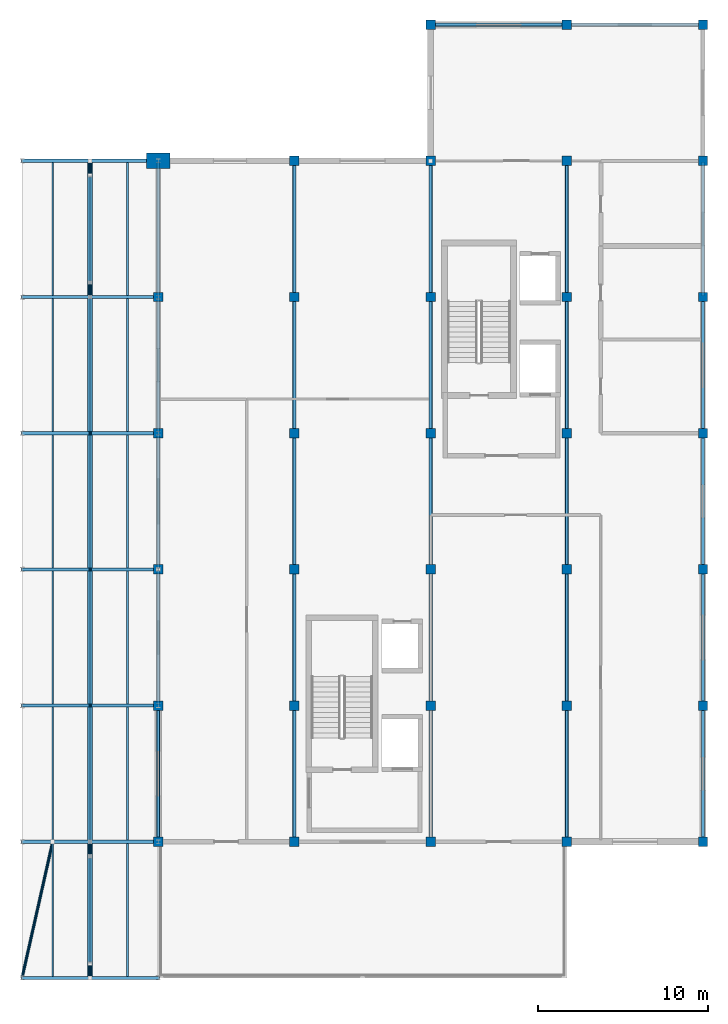
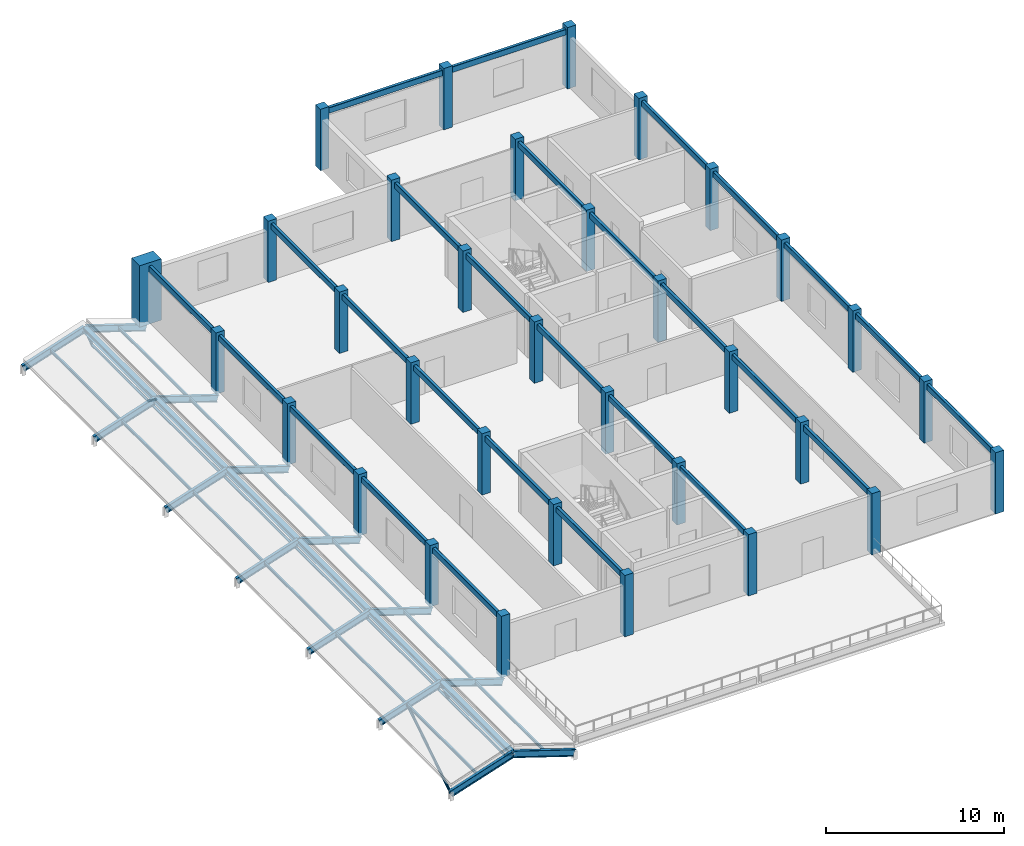
# One storey, part 1 of 9: 41 beams, 33 columns, 24 members.
"""IFC4 building model written with IfcOpenShell, lengths in metres."""

from ifc_helpers import new_model, si_unit, direction, frame, origin, origin_2d, place, context, subcontext, project, spatial, rectangle, hollow_rectangle, hollow_circle, i_section, extrude, material, material_profile, profile_set, type_object, element, save


model = new_model("IFC4")

# Units and contexts
model_context = context("Model", 3, precision=1e-05, world=origin(), true_north=direction((0.0, 1.0)))
body_context = subcontext(model_context, "Body", "Model", "MODEL_VIEW")
ifc_project = project(units=[si_unit("LENGTHUNIT", "METRE"), si_unit("AREAUNIT", "SQUARE_METRE"), si_unit("VOLUMEUNIT", "CUBIC_METRE"), si_unit("PLANEANGLEUNIT", "RADIAN"), si_unit("MASSUNIT", "GRAM", prefix="KILO")], contexts=[model_context])

# Site, building, storey
site_placement = place(None, origin())
site = spatial("IfcSite", under=ifc_project, at=site_placement, CompositionType="ELEMENT")
building_placement = place(site_placement, origin())
building = spatial("IfcBuilding", under=site, at=building_placement, Name="Kenh Van Central Station", CompositionType="ELEMENT")
storey_placement = place(building_placement, frame((0.0, 0.0, 23.39990234375)))
storey = spatial("IfcBuildingStorey", under=building, at=storey_placement, Name="L05", CompositionType="ELEMENT", Elevation=23.39990234375)

# Columns
ifc_material_1 = material(Name="Concrete C40/50", Category="concrete")
ifc_material_profile_1 = material_profile(ifc_material_1, rectangle(XDim=1.39990234375, YDim=0.89990234375, at=origin_2d()), Name="RC 1400x900")
ifc_profile_set_1 = profile_set([ifc_material_profile_1], Name="Concrete C40/50")
column_type_1 = type_object("IfcColumnType", Name="COL-PIER-1400x900", PredefinedType="COLUMN", material=ifc_profile_set_1)
column_placement = place(storey_placement, frame((144.0, 64.0, 0.0), z_axis=(0.0, 0.0, 1.0), x_axis=(1.0, 0.0, 0.0)))
element("IfcColumn", 1, at=column_placement, inside=storey, type_object=column_type_1, Name="L05 column VP-14-0", PredefinedType="COLUMN", context=body_context, shape_type="SweptSolid", body=[
    extrude(rectangle(XDim=1.39990234375, YDim=0.89990234375, at=origin_2d()), origin(), (0.0, 0.0, 1.0), 4.2001953125),
])
ifc_material_2 = material(Name="Concrete C35/45", Category="concrete")
ifc_material_profile_2 = material_profile(ifc_material_2, rectangle(XDim=0.550048828125, YDim=0.550048828125, at=origin_2d()), Name="RC 550x550")
ifc_profile_set_2 = profile_set([ifc_material_profile_2], Name="Concrete C35/45")
column_type_2 = type_object("IfcColumnType", Name="COL-RC-550x550", PredefinedType="COLUMN", material=ifc_profile_set_2)
for number, where, z_axis, x_axis, name in (
    (2, (144.0, 24.0, 0.0), (0.0, 0.0, 1.0), (1.0, 0.0, 0.0), "L05 column CE-1440-024"),
    (3, (144.0, 32.0, 0.0), (0.0, 0.0, 1.0), (1.0, 0.0, 0.0), "L05 column CE-1440-032"),
    (4, (144.0, 40.0, 0.0), (0.0, 0.0, 1.0), (1.0, 0.0, 0.0), "L05 column CE-1440-040"),
    (5, (144.0, 48.0, 0.0), (0.0, 0.0, 1.0), (1.0, 0.0, 0.0), "L05 column CE-1440-048"),
    (6, (144.0, 56.0, 0.0), (0.0, 0.0, 1.0), (1.0, 0.0, 0.0), "L05 column CE-1440-056"),
    (7, (152.0, 24.0, 0.0), (0.0, 0.0, 1.0), (1.0, 0.0, 0.0), "L05 column CE-1520-024"),
    (8, (152.0, 32.0, 0.0), (0.0, 0.0, 1.0), (1.0, 0.0, 0.0), "L05 column CE-1520-032"),
    (9, (152.0, 40.0, 0.0), (0.0, 0.0, 1.0), (1.0, 0.0, 0.0), "L05 column CE-1520-040"),
    (10, (152.0, 48.0, 0.0), (0.0, 0.0, 1.0), (1.0, 0.0, 0.0), "L05 column CE-1520-048"),
    (11, (152.0, 56.0, 0.0), (0.0, 0.0, 1.0), (1.0, 0.0, 0.0), "L05 column CE-1520-056"),
    (12, (152.0, 64.0, 0.0), (0.0, 0.0, 1.0), (1.0, 0.0, 0.0), "L05 column CE-1520-064"),
    (13, (160.0, 24.0, 0.0), (0.0, 0.0, 1.0), (1.0, 0.0, 0.0), "L05 column CE-1600-024"),
    (14, (160.0, 32.0, 0.0), (0.0, 0.0, 1.0), (1.0, 0.0, 0.0), "L05 column CE-1600-032"),
    (15, (160.0, 40.0, 0.0), (0.0, 0.0, 1.0), (1.0, 0.0, 0.0), "L05 column CE-1600-040"),
    (16, (160.0, 48.0, 0.0), (0.0, 0.0, 1.0), (1.0, 0.0, 0.0), "L05 column CE-1600-048"),
    (17, (160.0, 56.0, 0.0), (0.0, 0.0, 1.0), (1.0, 0.0, 0.0), "L05 column CE-1600-056"),
    (18, (160.0, 64.0, 0.0), (0.0, 0.0, 1.0), (1.0, 0.0, 0.0), "L05 column CE-1600-064"),
    (19, (168.0, 24.0, 0.0), (0.0, 0.0, 1.0), (1.0, 0.0, 0.0), "L05 column CE-1680-024"),
    (20, (168.0, 32.0, 0.0), (0.0, 0.0, 1.0), (1.0, 0.0, 0.0), "L05 column CE-1680-032"),
    (21, (168.0, 40.0, 0.0), (0.0, 0.0, 1.0), (1.0, 0.0, 0.0), "L05 column CE-1680-040"),
    (22, (168.0, 48.0, 0.0), (0.0, 0.0, 1.0), (1.0, 0.0, 0.0), "L05 column CE-1680-048"),
    (23, (168.0, 56.0, 0.0), (0.0, 0.0, 1.0), (1.0, 0.0, 0.0), "L05 column CE-1680-056"),
    (24, (168.0, 64.0, 0.0), (0.0, 0.0, 1.0), (1.0, 0.0, 0.0), "L05 column CE-1680-064"),
    (25, (176.0, 24.0, 0.0), (0.0, 0.0, 1.0), (1.0, 0.0, 0.0), "L05 column CE-1760-024"),
    (26, (176.0, 32.0, 0.0), (0.0, 0.0, 1.0), (1.0, 0.0, 0.0), "L05 column CE-1760-032"),
    (27, (176.0, 40.0, 0.0), (0.0, 0.0, 1.0), (1.0, 0.0, 0.0), "L05 column CE-1760-040"),
    (28, (176.0, 48.0, 0.0), (0.0, 0.0, 1.0), (1.0, 0.0, 0.0), "L05 column CE-1760-048"),
    (29, (176.0, 56.0, 0.0), (0.0, 0.0, 1.0), (1.0, 0.0, 0.0), "L05 column CE-1760-056"),
    (30, (176.0, 64.0, 0.0), (0.0, 0.0, 1.0), (1.0, 0.0, 0.0), "L05 column CE-1760-064"),
    (31, (160.0, 72.0, 0.0), (0.0, 0.0, 1.0), (1.0, 0.0, 0.0), "L05 column CN-1600-072"),
    (32, (168.0, 72.0, 0.0), (0.0, 0.0, 1.0), (1.0, 0.0, 0.0), "L05 column CN-1680-072"),
    (33, (176.0, 72.0, 0.0), (0.0, 0.0, 1.0), (1.0, 0.0, 0.0), "L05 column CN-1760-072"),
):
    element("IfcColumn", number, at=place(storey_placement, frame(where, z_axis=z_axis, x_axis=x_axis)), inside=storey, type_object=column_type_2, Name=name, PredefinedType="COLUMN", context=body_context, shape_type="SweptSolid", body=[
        extrude(rectangle(XDim=0.550048828125, YDim=0.550048828125, at=origin_2d()), origin(), (0.0, 0.0, 1.0), 4.2001953125),
    ])

# Beams
ifc_material_3 = material(Name="Steel S355", Category="steel")
ifc_material_profile_3 = material_profile(ifc_material_3, i_section(OverallWidth=0.18994140625, OverallDepth=0.449951171875, WebThickness=0.009521484375, FlangeThickness=0.0146484375, FilletRadius=0.02099609375, at=origin_2d()), Name="IPE 450")
ifc_profile_set_3 = profile_set([ifc_material_profile_3], Name="Steel S355")
beam_type_1 = type_object("IfcBeamType", Name="BM-STL-IPE450", PredefinedType="BEAM", material=ifc_profile_set_3)
for number, where, z_axis, x_axis, name in (
    (34, (136.0, 16.0, -0.503173828125), (0.951030656115, 0.0, 0.309096572498), (0.0, 1.0, 0.0), "L05 roof rafter 189"),
    (35, (140.0, 16.0, 0.796875), (0.951030656115, 0.0, -0.309096572498), (0.0, 1.0, 0.0), "L05 roof rafter 190"),
    (36, (136.0, 24.0, -0.503173828125), (0.951030656115, 0.0, 0.309096572498), (0.0, 1.0, 0.0), "L05 roof rafter 191"),
    (37, (140.0, 24.0, 0.796875), (0.951030656115, 0.0, -0.309096572498), (0.0, 1.0, 0.0), "L05 roof rafter 192"),
    (38, (136.0, 32.0, -0.503173828125), (0.951030656115, 0.0, 0.309096572498), (0.0, 1.0, 0.0), "L05 roof rafter 193"),
    (39, (140.0, 32.0, 0.796875), (0.951030656115, 0.0, -0.309096572498), (0.0, 1.0, 0.0), "L05 roof rafter 194"),
    (40, (136.0, 40.0, -0.503173828125), (0.951030656115, 0.0, 0.309096572498), (0.0, 1.0, 0.0), "L05 roof rafter 195"),
    (41, (140.0, 40.0, 0.796875), (0.951030656115, 0.0, -0.309096572498), (0.0, 1.0, 0.0), "L05 roof rafter 196"),
    (42, (136.0, 48.0, -0.503173828125), (0.951030656115, 0.0, 0.309096572498), (0.0, 1.0, 0.0), "L05 roof rafter 197"),
    (43, (140.0, 48.0, 0.796875), (0.951030656115, 0.0, -0.309096572498), (0.0, 1.0, 0.0), "L05 roof rafter 198"),
    (44, (136.0, 56.0, -0.503173828125), (0.951030656115, 0.0, 0.309096572498), (0.0, 1.0, 0.0), "L05 roof rafter 199"),
    (45, (140.0, 56.0, 0.796875), (0.951030656115, 0.0, -0.309096572498), (0.0, 1.0, 0.0), "L05 roof rafter 200"),
    (46, (136.0, 64.0, -0.503173828125), (0.951030656115, 0.0, 0.309096572498), (0.0, 1.0, 0.0), "L05 roof rafter 201"),
    (47, (140.0, 64.0, 0.796875), (0.951030656115, 0.0, -0.309096572498), (0.0, 1.0, 0.0), "L05 roof rafter 202"),
):
    element("IfcBeam", number, at=place(storey_placement, frame(where, z_axis=z_axis, x_axis=x_axis)), inside=storey, type_object=beam_type_1, Name=name, PredefinedType="BEAM", context=body_context, shape_type="SweptSolid", body=[
        extrude(i_section(OverallWidth=0.18994140625, OverallDepth=0.449951171875, WebThickness=0.009521484375, FlangeThickness=0.0146484375, FilletRadius=0.02099609375, at=origin_2d()), origin(), (0.0, 0.0, 1.0), 4.2060546875),
    ])

# Members
ifc_material_profile_4 = material_profile(ifc_material_3, i_section(OverallWidth=0.10009765625, OverallDepth=0.199951171875, WebThickness=0.005615234375, FlangeThickness=0.008544921875, FilletRadius=0.011962890625, at=origin_2d()), Name="IPE 200")
ifc_profile_set_4 = profile_set([ifc_material_profile_4], Name="Steel S355")
member_type_1 = type_object("IfcMemberType", Name="MEM-PUR-IPE200", PredefinedType="PURLIN", material=ifc_profile_set_4)
for number, where, z_axis, x_axis, name in (
    (48, (137.800048828125, 16.0, 0.081787109375), (0.0, 1.0, 0.0), (-1.0, 0.0, 0.0), "L05 roof purlin 089"),
    (49, (137.800048828125, 24.0, 0.081787109375), (0.0, 1.0, 0.0), (-1.0, 0.0, 0.0), "L05 roof purlin 090"),
    (50, (137.800048828125, 32.0, 0.081787109375), (0.0, 1.0, 0.0), (-1.0, 0.0, 0.0), "L05 roof purlin 091"),
    (51, (137.800048828125, 40.0, 0.081787109375), (0.0, 1.0, 0.0), (-1.0, 0.0, 0.0), "L05 roof purlin 092"),
    (52, (137.800048828125, 48.0, 0.081787109375), (0.0, 1.0, 0.0), (-1.0, 0.0, 0.0), "L05 roof purlin 093"),
    (53, (137.800048828125, 56.0, 0.081787109375), (0.0, 1.0, 0.0), (-1.0, 0.0, 0.0), "L05 roof purlin 094"),
    (54, (142.199951171875, 16.0, 0.081787109375), (0.0, 1.0, 0.0), (-1.0, 0.0, 0.0), "L05 roof purlin 095"),
    (55, (142.199951171875, 24.0, 0.081787109375), (0.0, 1.0, 0.0), (-1.0, 0.0, 0.0), "L05 roof purlin 096"),
    (56, (142.199951171875, 32.0, 0.081787109375), (0.0, 1.0, 0.0), (-1.0, 0.0, 0.0), "L05 roof purlin 097"),
    (57, (142.199951171875, 40.0, 0.081787109375), (0.0, 1.0, 0.0), (-1.0, 0.0, 0.0), "L05 roof purlin 098"),
    (58, (142.199951171875, 48.0, 0.081787109375), (0.0, 1.0, 0.0), (-1.0, 0.0, 0.0), "L05 roof purlin 099"),
    (59, (142.199951171875, 56.0, 0.081787109375), (0.0, 1.0, 0.0), (-1.0, 0.0, 0.0), "L05 roof purlin 100"),
):
    element("IfcMember", number, at=place(storey_placement, frame(where, z_axis=z_axis, x_axis=x_axis)), inside=storey, type_object=member_type_1, Name=name, PredefinedType="PURLIN", context=body_context, shape_type="SweptSolid", body=[
        extrude(i_section(OverallWidth=0.10009765625, OverallDepth=0.199951171875, WebThickness=0.005615234375, FlangeThickness=0.008544921875, FilletRadius=0.011962890625, at=origin_2d()), origin(), (0.0, 0.0, 1.0), 8.0),
    ])
ifc_material_profile_5 = material_profile(ifc_material_3, hollow_circle(Radius=0.084228515625, WallThickness=0.008056640625, at=origin_2d()), Name="CHS 168.3x8")
ifc_profile_set_5 = profile_set([ifc_material_profile_5], Name="Steel S355")
member_type_2 = type_object("IfcMemberType", Name="MEM-ROOF-BRC168", PredefinedType="BRACE", material=ifc_profile_set_5)
member_1_placement = place(storey_placement, frame((136.0, 16.0, -0.503173828125), z_axis=(0.218961432174, 0.973135522782, 0.071155783465), x_axis=(-0.975608480846, 0.219517862832, 0.0)))
element("IfcMember", 60, at=member_1_placement, inside=storey, type_object=member_type_2, Name="L05 roof wind brace 059", PredefinedType="BRACE", context=body_context, shape_type="SweptSolid", body=[
    extrude(hollow_circle(Radius=0.084228515625, WallThickness=0.008056640625, at=origin_2d()), origin(), (0.0, 0.0, 1.0), 8.220947265625),
])
member_2_placement = place(storey_placement, frame((140.0, 16.85009765625, 0.1767578125), z_axis=(0.0, 1.0, 0.0), x_axis=(-1.0, 0.0, 0.0)))
element("IfcMember", 61, at=member_2_placement, inside=storey, type_object=member_type_2, Name="L05 roof truss lower chord 060", PredefinedType="BRACE", context=body_context, shape_type="SweptSolid", body=[
    extrude(hollow_circle(Radius=0.084228515625, WallThickness=0.008056640625, at=origin_2d()), origin(), (0.0, 0.0, 1.0), 46.2998046875),
])
for number, where, z_axis, x_axis, name in (
    (62, (140.0, 16.85009765625, 0.1767578125), (0.0, -0.807892458304, 0.589329937993), (1.0, 0.0, 0.0), "L05 roof truss web diagonal 061"),
    (63, (140.0, 23.14990234375, 0.1767578125), (0.0, 0.807892458304, 0.589329937993), (-1.0, 0.0, 0.0), "L05 roof truss web diagonal 062"),
    (64, (140.0, 56.85009765625, 0.1767578125), (0.0, -0.807892458304, 0.589329937993), (1.0, 0.0, 0.0), "L05 roof truss web diagonal 063"),
    (65, (140.0, 63.14990234375, 0.1767578125), (0.0, 0.807892458304, 0.589329937993), (-1.0, 0.0, 0.0), "L05 roof truss web diagonal 064"),
):
    element("IfcMember", number, at=place(storey_placement, frame(where, z_axis=z_axis, x_axis=x_axis)), inside=storey, type_object=member_type_2, Name=name, PredefinedType="BRACE", context=body_context, shape_type="SweptSolid", body=[
        extrude(hollow_circle(Radius=0.084228515625, WallThickness=0.008056640625, at=origin_2d()), origin(), (0.0, 0.0, 1.0), 1.05224609375),
    ])
ifc_material_profile_6 = material_profile(ifc_material_3, i_section(OverallWidth=0.300048828125, OverallDepth=0.35009765625, WebThickness=0.010009765625, FlangeThickness=0.017578125, FilletRadius=0.027099609375, at=origin_2d()), Name="HEA 360")
ifc_profile_set_6 = profile_set([ifc_material_profile_6], Name="Steel S355")
member_type_3 = type_object("IfcMemberType", Name="MEM-ROOF-HEA360", PredefinedType="CHORD", material=ifc_profile_set_6)
for number, where, z_axis, x_axis, name in (
    (66, (140.0, 16.0, 0.796875), (0.0, 1.0, 0.0), (-1.0, 0.0, 0.0), "L05 roof ridge chord 183"),
    (67, (140.0, 24.0, 0.796875), (0.0, 1.0, 0.0), (-1.0, 0.0, 0.0), "L05 roof ridge chord 184"),
    (68, (140.0, 32.0, 0.796875), (0.0, 1.0, 0.0), (-1.0, 0.0, 0.0), "L05 roof ridge chord 185"),
    (69, (140.0, 40.0, 0.796875), (0.0, 1.0, 0.0), (-1.0, 0.0, 0.0), "L05 roof ridge chord 186"),
    (70, (140.0, 48.0, 0.796875), (0.0, 1.0, 0.0), (-1.0, 0.0, 0.0), "L05 roof ridge chord 187"),
    (71, (140.0, 56.0, 0.796875), (0.0, 1.0, 0.0), (-1.0, 0.0, 0.0), "L05 roof ridge chord 188"),
):
    element("IfcMember", number, at=place(storey_placement, frame(where, z_axis=z_axis, x_axis=x_axis)), inside=storey, type_object=member_type_3, Name=name, PredefinedType="CHORD", context=body_context, shape_type="SweptSolid", body=[
        extrude(i_section(OverallWidth=0.300048828125, OverallDepth=0.35009765625, WebThickness=0.010009765625, FlangeThickness=0.017578125, FilletRadius=0.027099609375, at=origin_2d()), origin(), (0.0, 0.0, 1.0), 8.0),
    ])

# Beams
ifc_material_profile_7 = material_profile(ifc_material_3, hollow_rectangle(XDim=0.199951171875, YDim=0.39990234375, WallThickness=0.012451171875, InnerFilletRadius=0.012451171875, OuterFilletRadius=0.02490234375, at=origin_2d()), Name="RHS 400x200x12.5")
ifc_profile_set_7 = profile_set([ifc_material_profile_7], Name="Steel S355")
beam_type_2 = type_object("IfcBeamType", Name="SPD-STL-RHS400", PredefinedType="SPANDREL", material=ifc_profile_set_7)
for number, where, z_axis, x_axis, name in (
    (72, (160.264892578125, 72.0, 3.780029296875), (1.0, 0.0, 0.0), (0.0, 1.0, 0.0), "L05 beam 1274"),
    (73, (168.264892578125, 72.0, 3.780029296875), (1.0, 0.0, 0.0), (0.0, 1.0, 0.0), "L05 beam 1275"),
):
    element("IfcBeam", number, at=place(storey_placement, frame(where, z_axis=z_axis, x_axis=x_axis)), inside=storey, type_object=beam_type_2, Name=name, PredefinedType="SPANDREL", context=body_context, shape_type="SweptSolid", body=[
        extrude(hollow_rectangle(XDim=0.199951171875, YDim=0.39990234375, WallThickness=0.012451171875, InnerFilletRadius=0.012451171875, OuterFilletRadius=0.02490234375, at=origin_2d()), origin(), (0.0, 0.0, 1.0), 7.47021484375),
    ])
for number, where, z_axis, x_axis, name in (
    (74, (144.0, 24.06005859375, 3.780029296875), (0.0, 1.0, 0.0), (-1.0, 0.0, 0.0), "L05 beam 1276"),
    (75, (144.0, 32.06005859375, 3.780029296875), (0.0, 1.0, 0.0), (-1.0, 0.0, 0.0), "L05 beam 1277"),
    (76, (144.0, 40.06005859375, 3.780029296875), (0.0, 1.0, 0.0), (-1.0, 0.0, 0.0), "L05 beam 1278"),
    (77, (144.0, 48.06005859375, 3.780029296875), (0.0, 1.0, 0.0), (-1.0, 0.0, 0.0), "L05 beam 1279"),
    (78, (144.0, 56.06005859375, 3.780029296875), (0.0, 1.0, 0.0), (-1.0, 0.0, 0.0), "L05 beam 1280"),
    (79, (152.0, 24.06005859375, 3.780029296875), (0.0, 1.0, 0.0), (-1.0, 0.0, 0.0), "L05 beam 1281"),
    (80, (152.0, 32.06005859375, 3.780029296875), (0.0, 1.0, 0.0), (-1.0, 0.0, 0.0), "L05 beam 1282"),
    (81, (152.0, 40.06005859375, 3.780029296875), (0.0, 1.0, 0.0), (-1.0, 0.0, 0.0), "L05 beam 1283"),
    (82, (152.0, 48.06005859375, 3.780029296875), (0.0, 1.0, 0.0), (-1.0, 0.0, 0.0), "L05 beam 1284"),
    (83, (152.0, 56.06005859375, 3.780029296875), (0.0, 1.0, 0.0), (-1.0, 0.0, 0.0), "L05 beam 1285"),
    (84, (160.0, 24.06005859375, 3.780029296875), (0.0, 1.0, 0.0), (-1.0, 0.0, 0.0), "L05 beam 1286"),
    (85, (160.0, 32.06005859375, 3.780029296875), (0.0, 1.0, 0.0), (-1.0, 0.0, 0.0), "L05 beam 1287"),
    (86, (160.0, 40.06005859375, 3.780029296875), (0.0, 1.0, 0.0), (-1.0, 0.0, 0.0), "L05 beam 1288"),
    (87, (160.0, 48.06005859375, 3.780029296875), (0.0, 1.0, 0.0), (-1.0, 0.0, 0.0), "L05 beam 1289"),
    (88, (160.0, 56.06005859375, 3.780029296875), (0.0, 1.0, 0.0), (-1.0, 0.0, 0.0), "L05 beam 1290"),
    (89, (168.0, 24.06005859375, 3.780029296875), (0.0, 1.0, 0.0), (-1.0, 0.0, 0.0), "L05 beam 1291"),
    (90, (168.0, 32.06005859375, 3.780029296875), (0.0, 1.0, 0.0), (-1.0, 0.0, 0.0), "L05 beam 1292"),
    (91, (168.0, 40.06005859375, 3.780029296875), (0.0, 1.0, 0.0), (-1.0, 0.0, 0.0), "L05 beam 1293"),
    (92, (168.0, 48.06005859375, 3.780029296875), (0.0, 1.0, 0.0), (-1.0, 0.0, 0.0), "L05 beam 1294"),
    (93, (168.0, 56.06005859375, 3.780029296875), (0.0, 1.0, 0.0), (-1.0, 0.0, 0.0), "L05 beam 1295"),
    (94, (176.0, 24.06005859375, 3.780029296875), (0.0, 1.0, 0.0), (-1.0, 0.0, 0.0), "L05 beam 1296"),
    (95, (176.0, 32.06005859375, 3.780029296875), (0.0, 1.0, 0.0), (-1.0, 0.0, 0.0), "L05 beam 1297"),
    (96, (176.0, 40.06005859375, 3.780029296875), (0.0, 1.0, 0.0), (-1.0, 0.0, 0.0), "L05 beam 1298"),
    (97, (176.0, 48.06005859375, 3.780029296875), (0.0, 1.0, 0.0), (-1.0, 0.0, 0.0), "L05 beam 1299"),
    (98, (176.0, 56.06005859375, 3.780029296875), (0.0, 1.0, 0.0), (-1.0, 0.0, 0.0), "L05 beam 1300"),
):
    element("IfcBeam", number, at=place(storey_placement, frame(where, z_axis=z_axis, x_axis=x_axis)), inside=storey, type_object=beam_type_2, Name=name, PredefinedType="SPANDREL", context=body_context, shape_type="SweptSolid", body=[
        extrude(hollow_rectangle(XDim=0.199951171875, YDim=0.39990234375, WallThickness=0.012451171875, InnerFilletRadius=0.012451171875, OuterFilletRadius=0.02490234375, at=origin_2d()), origin(), (0.0, 0.0, 1.0), 7.8798828125),
    ])

save(model, "model.ifc")
